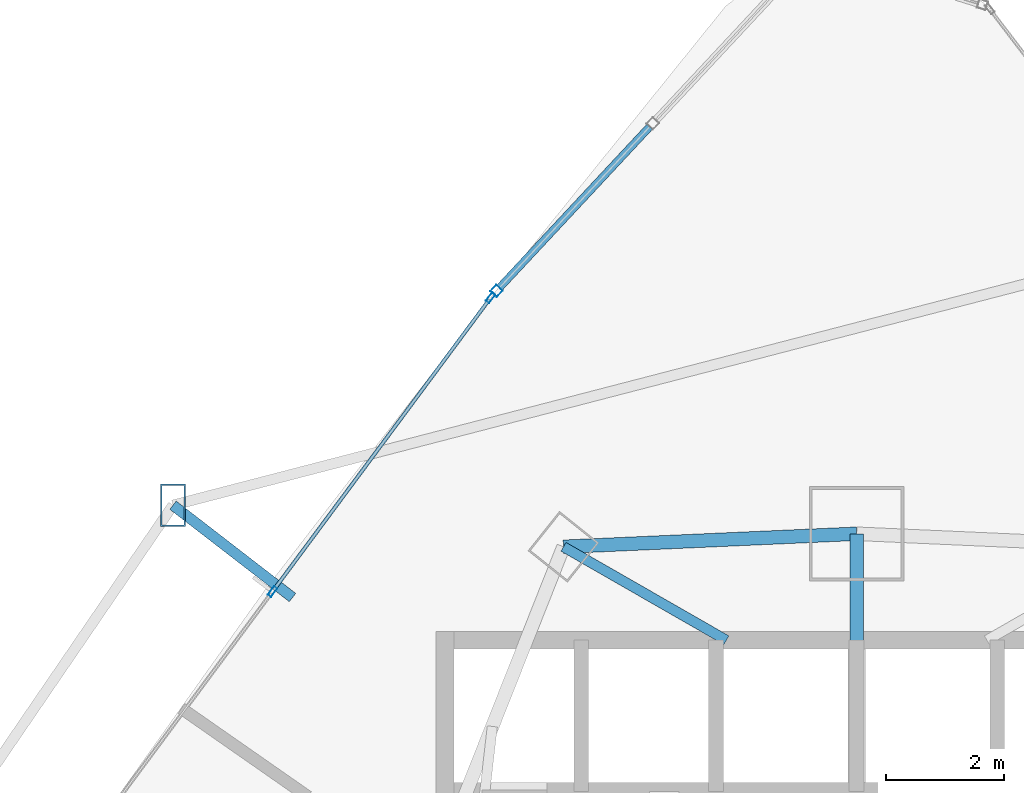
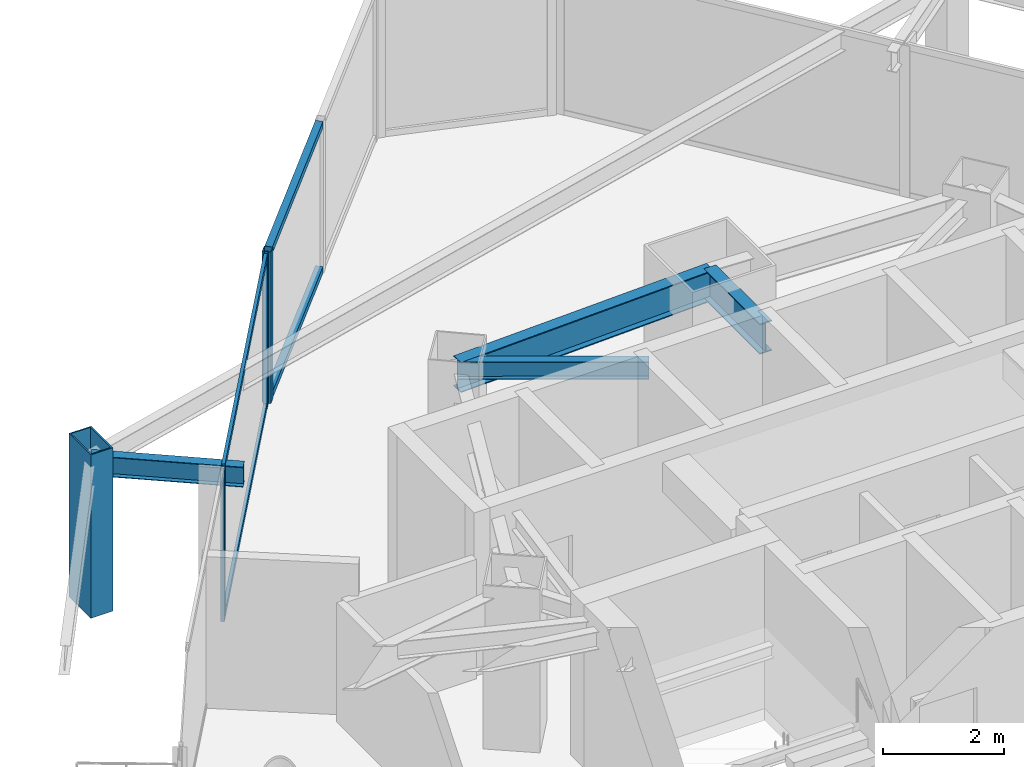
# One storey, part 22 of 34: 8 members, 4 beams, 2 elements without a shape of their own.
"""IFC4 building model written with IfcOpenShell, lengths in metres."""

import ifcopenshell
import ifcopenshell.guid

model = None  # the IFC model being written
_history = None  # IfcOwnerHistory: only IFC2X3 demands one
_inside = {}  # id of a spatial element -> (the spatial element, [elements in it])
_under = {}  # id of a project, library or spatial element -> (it, [spatial elements below it])
_declared = {}  # id of a project -> (the project, [libraries it declares])
_typed = {}  # id of a type object -> (the type object, [elements of that type])
_made_of = {}  # id of a material, layer set ... -> (it, [elements and type objects made of it])


def new_model(schema):
    """Start an empty IFC model of exactly this schema.

    Asked for "IFC4X3", IfcOpenShell would pick the latest addendum, in which some entities
    have other attributes; the version numbers below select the first issue.
    IFC2X3 requires an IfcOwnerHistory on every rooted entity: one is made here for all.
    """
    global model, _history
    if schema == "IFC4X3":
        model = ifcopenshell.file(schema_version=(4, 3, 0, 0))
    else:
        model = ifcopenshell.file(schema=schema)
    _inside.clear()
    _under.clear()
    _declared.clear()
    _typed.clear()
    _made_of.clear()
    _history = None
    if model.schema == "IFC2X3":
        org = make("IfcOrganization", Name="unknown")
        user = make(
            "IfcPersonAndOrganization",
            ThePerson=make("IfcPerson", FamilyName="unknown"),
            TheOrganization=org,
        )
        app = make(
            "IfcApplication",
            ApplicationDeveloper=org,
            Version="unknown",
            ApplicationFullName="unknown",
            ApplicationIdentifier="unknown",
        )
        _history = make(
            "IfcOwnerHistory",
            OwningUser=user,
            OwningApplication=app,
            ChangeAction="ADDED",
            CreationDate=0,
        )
    return model


def make(cls, **values):
    """One entity of the class cls with the attributes given. An attribute that is None is left unset."""
    return model.create_entity(
        cls, **{name: value for name, value in values.items() if value is not None}
    )


def rooted(cls, **values):
    """An entity with a GlobalId (a new one), such as an element, a storey or a relation."""
    return make(cls, GlobalId=ifcopenshell.guid.new(), OwnerHistory=_history, **values)


def si_unit(unit_type, name, prefix=None):
    """IfcSIUnit, for example si_unit("LENGTHUNIT", "METRE", prefix="MILLI")."""
    return make("IfcSIUnit", UnitType=unit_type, Prefix=prefix, Name=name)


def assignment(units):
    """IfcUnitAssignment: the units of a project."""
    return None if units is None else make("IfcUnitAssignment", Units=units)


def point(xyz):
    """IfcCartesianPoint."""
    return None if xyz is None else make("IfcCartesianPoint", Coordinates=xyz)


def direction(xyz):
    """IfcDirection."""
    return None if xyz is None else make("IfcDirection", DirectionRatios=xyz)


def frame(location, z_axis=None, x_axis=None):
    """IfcAxis2Placement3D, a coordinate frame: its origin and axes. An axis left out is left unset."""
    return make(
        "IfcAxis2Placement3D",
        Location=point(location),
        Axis=direction(z_axis),
        RefDirection=direction(x_axis),
    )


def frame_2d(location, x_axis=None):
    """IfcAxis2Placement2D, a coordinate frame in the plane: its origin and x axis."""
    return make(
        "IfcAxis2Placement2D", Location=point(location), RefDirection=direction(x_axis)
    )


def origin():
    """The frame at (0, 0, 0) with its axes left unset."""
    return frame((0.0, 0.0, 0.0))


def origin_2d():
    """The frame at (0, 0) in the plane with its x axis left unset."""
    return frame_2d((0.0, 0.0))


def place(relative_to, where):
    """IfcLocalPlacement: puts the frame where relative to a parent placement (None: the world)."""
    return make(
        "IfcLocalPlacement", PlacementRelTo=relative_to, RelativePlacement=where
    )


def context(
    kind, dimensions, precision=None, world=None, true_north=None, identifier=None
):
    """IfcGeometricRepresentationContext, for example the 3D "Model" context."""
    return make(
        "IfcGeometricRepresentationContext",
        ContextIdentifier=identifier,
        ContextType=kind,
        CoordinateSpaceDimension=dimensions,
        Precision=precision,
        WorldCoordinateSystem=world,
        TrueNorth=true_north,
    )


def subcontext(parent, identifier, kind, view, scale=None):
    """IfcGeometricRepresentationSubContext, for example "Body" below "Model"."""
    return make(
        "IfcGeometricRepresentationSubContext",
        ContextIdentifier=identifier,
        ContextType=kind,
        ParentContext=parent,
        TargetScale=scale,
        TargetView=view,
    )


def project(units=None, contexts=None):
    """IfcProject with its units and contexts."""
    return rooted(
        "IfcProject",
        Name="project",
        RepresentationContexts=contexts,
        UnitsInContext=assignment(units),
    )


def spatial(cls, under=None, at=None, **own):
    """A site, building, storey or space (cls), placed at a placement, below another one or the project."""
    s = rooted(cls, ObjectPlacement=at, **own)
    if under is not None:
        _under.setdefault(under.id(), (under, []))[1].append(s)
    return s


def profile(cls, at=None, kind="AREA", **sizes):
    """A parametric profile (cls). Its sizes go by their IFC names, for example OverallWidth=200.0."""
    return make(cls, ProfileType=kind, Position=at, **sizes)


def hollow_rectangle(**sizes):
    """IfcRectangleHollowProfileDef."""
    return profile("IfcRectangleHollowProfileDef", **sizes)


def i_section(**sizes):
    """IfcIShapeProfileDef."""
    return profile("IfcIShapeProfileDef", **sizes)


def extrude(swept, where, along, depth):
    """IfcExtrudedAreaSolid: the profile swept, set in the frame where, extruded along a direction by depth."""
    return make(
        "IfcExtrudedAreaSolid",
        SweptArea=swept,
        Position=where,
        ExtrudedDirection=direction(along),
        Depth=depth,
    )


def shape(context_of_items, identifier, shape_type, items):
    """IfcShapeRepresentation: the items that make up one representation, for example the "Body"."""
    return make(
        "IfcShapeRepresentation",
        ContextOfItems=context_of_items,
        RepresentationIdentifier=identifier,
        RepresentationType=shape_type,
        Items=items,
    )


def material(Name=None, Category=None):
    """IfcMaterial."""
    return make("IfcMaterial", Name=Name, Category=Category)


def layer(
    of_material, thickness, ventilated=None, Name=None, Category=None, Priority=None
):
    """IfcMaterialLayer: one layer of a wall or slab, of a material (None: an air gap)."""
    return make(
        "IfcMaterialLayer",
        Material=of_material,
        LayerThickness=thickness,
        IsVentilated=ventilated,
        Name=Name,
        Category=Category,
        Priority=Priority,
    )


def layer_set(layers, Name=None):
    """IfcMaterialLayerSet."""
    return make("IfcMaterialLayerSet", MaterialLayers=layers, LayerSetName=Name)


def material_profile(
    of_material, cross_section, Name=None, Category=None, Priority=None
):
    """IfcMaterialProfile: a cross section and its material."""
    return make(
        "IfcMaterialProfile",
        Name=Name,
        Material=of_material,
        Profile=cross_section,
        Priority=Priority,
        Category=Category,
    )


def profile_set(profiles, Name=None, composite=None):
    """IfcMaterialProfileSet."""
    return make(
        "IfcMaterialProfileSet",
        Name=Name,
        MaterialProfiles=profiles,
        CompositeProfile=composite,
    )


def made_of(thing, what):
    """Note that an element or type object is made of a material, layer set ...; save() writes the relation."""
    if what is not None:
        _made_of.setdefault(what.id(), (what, []))[1].append(thing)
    return thing


def type_object(cls, material=None, **own):
    """A type object (cls), such as IfcWallType, which elements share."""
    return made_of(rooted(cls, **own), material)


def element(
    cls,
    number,
    at=None,
    inside=None,
    cuts=None,
    type_object=None,
    material=None,
    context=None,
    identifier="Body",
    shape_type=None,
    held_by="IfcProductDefinitionShape",
    body=None,
    shapes=None,
    **own,
):
    """One element of the class cls, such as IfcWall. Its Tag is "e" and its number.

    at: its placement. inside: the storey or other place that contains it. cuts: it is an
    opening in that element (IfcRelVoidsElement). A single representation is given by context,
    identifier, shape_type and body (its items); several are given by shapes. held_by: the class
    of the entity that holds the representations. save() writes the other relations.
    """
    e = rooted(cls, Tag="e%d" % number, ObjectPlacement=at, **own)
    if body is not None:
        shapes = [shape(context, identifier, shape_type, body)]
    if shapes is not None:
        e.Representation = make(held_by, Representations=shapes)
    if inside is not None:
        _inside.setdefault(inside.id(), (inside, []))[1].append(e)
    if cuts is not None:
        rooted(
            "IfcRelVoidsElement", RelatingBuildingElement=cuts, RelatedOpeningElement=e
        )
    if type_object is not None:
        _typed.setdefault(type_object.id(), (type_object, []))[1].append(e)
    return made_of(e, material)


def aggregate(whole, parts):
    """IfcRelAggregates: a whole, such as a stair, and the parts it consists of."""
    return rooted("IfcRelAggregates", RelatingObject=whole, RelatedObjects=parts)


def save(model, path):
    """Write the relations noted so far, then the file.

    IfcRelAggregates (storeys below a building ...), IfcRelContainedInSpatialStructure (elements
    in a storey), IfcRelDefinesByType, IfcRelAssociatesMaterial and IfcRelDeclares: one each for
    every whole, place, type object, material and project.
    """
    for whole, parts in _under.values():
        aggregate(whole, parts)
    for where, things in _inside.values():
        rooted(
            "IfcRelContainedInSpatialStructure",
            RelatedElements=things,
            RelatingStructure=where,
        )
    for kind, things in _typed.values():
        rooted("IfcRelDefinesByType", RelatedObjects=things, RelatingType=kind)
    for what, things in _made_of.values():
        rooted("IfcRelAssociatesMaterial", RelatedObjects=things, RelatingMaterial=what)
    for by, libraries in _declared.values():
        rooted("IfcRelDeclares", RelatingContext=by, RelatedDefinitions=libraries)
    model.write(path)


model = new_model("IFC4")

# Units and contexts
model_context = context("Model", 3, precision=1e-05, world=origin(), true_north=direction((0.0, 1.0)))
body_context = subcontext(model_context, "Body", "Model", "MODEL_VIEW")
ifc_project = project(units=[si_unit("LENGTHUNIT", "METRE"), si_unit("AREAUNIT", "SQUARE_METRE"), si_unit("VOLUMEUNIT", "CUBIC_METRE"), si_unit("PLANEANGLEUNIT", "RADIAN"), si_unit("MASSUNIT", "GRAM", prefix="KILO")], contexts=[model_context])

# Site, building, storey
site_placement = place(None, origin())
site = spatial("IfcSite", under=ifc_project, at=site_placement, CompositionType="ELEMENT")
building_placement = place(site_placement, origin())
building = spatial("IfcBuilding", under=site, at=building_placement, Name="Orvanel Arch Residences", CompositionType="ELEMENT")
storey_placement = place(building_placement, frame((0.0, 0.0, 67.550048828125)))
storey = spatial("IfcBuildingStorey", under=building, at=storey_placement, Name="L18", CompositionType="ELEMENT", Elevation=67.550048828125)

# Beams
ifc_material_1 = material(Name="Structural steel AS/NZS 3679.1 Grade 300 (300 MPa)", Category="steel")
ifc_material_profile_1 = material_profile(ifc_material_1, i_section(OverallWidth=0.22900390625, OverallDepth=0.612060546875, WebThickness=0.011962890625, FlangeThickness=0.01953125, at=origin_2d()), Name="610UB125")
ifc_profile_set_1 = profile_set([ifc_material_profile_1], Name="Structural steel AS/NZS 3679.1 Grade 300 (300 MPa)")
beam_type_1 = type_object("IfcBeamType", Name="BG-610UB", PredefinedType="BEAM", material=ifc_profile_set_1)
beam_1_placement = place(storey_placement, frame((33.0, 39.550048828125, 2.75390625), z_axis=(0.0, 1.0, 0.0), x_axis=(-1.0, 0.0, 0.0)))
element("IfcBeam", 1, at=beam_1_placement, inside=storey, type_object=beam_type_1, Name="L18 North Radial Girder", PredefinedType="BEAM", context=body_context, shape_type="SweptSolid", body=[
    extrude(i_section(OverallWidth=0.22900390625, OverallDepth=0.612060546875, WebThickness=0.011962890625, FlangeThickness=0.01953125, at=origin_2d()), origin(), (0.0, 0.0, 1.0), 1.847900390625),
])
ifc_material_profile_2 = material_profile(ifc_material_1, i_section(OverallWidth=0.1708984375, OverallDepth=0.35595703125, WebThickness=0.00732421875, FlangeThickness=0.011474609375, at=origin_2d()), Name="360UB50.7")
ifc_profile_set_2 = profile_set([ifc_material_profile_2], Name="Structural steel AS/NZS 3679.1 Grade 300 (300 MPa)")
beam_type_2 = type_object("IfcBeamType", Name="BJ-360UB", PredefinedType="JOIST", material=ifc_profile_set_2)
beam_2_placement = place(storey_placement, frame((30.800048828125, 39.60009765625, 2.8818359375), z_axis=(-0.86736513383, 0.497672306458, 0.0), x_axis=(-0.497672306458, -0.86736513383, 0.0)))
element("IfcBeam", 2, at=beam_2_placement, inside=storey, type_object=beam_type_2, Name="L18 MNW Wing Floor Joist", PredefinedType="JOIST", context=body_context, shape_type="SweptSolid", body=[
    extrude(i_section(OverallWidth=0.1708984375, OverallDepth=0.35595703125, WebThickness=0.00732421875, FlangeThickness=0.011474609375, at=origin_2d()), origin(), (0.0, 0.0, 1.0), 3.17041015625),
])

# Member
ifc_material_2 = material(Name="Structural steel AS/NZS 3678 Grade 350", Category="steel")
ifc_material_profile_3 = material_profile(ifc_material_2, hollow_rectangle(XDim=0.419921875, YDim=0.719970703125, WallThickness=0.02490234375, at=origin_2d()), Name="RHS720x420x25")
ifc_profile_set_3 = profile_set([ifc_material_profile_3], Name="Structural steel AS/NZS 3678 Grade 350")
member_type_1 = type_object("IfcMemberType", Name="CH-720RHS-EXT", PredefinedType="CHORD", material=ifc_profile_set_3)
member_1_placement = place(storey_placement, frame((21.4580078125, 41.8798828125, 0.0), z_axis=(0.0, 0.0, 1.0), x_axis=(1.0, 0.0, 0.0)))
element("IfcMember", 3, at=member_1_placement, inside=storey, type_object=member_type_1, Name="L18 Outer Perimeter Frame Post 01", PredefinedType="CHORD", context=body_context, shape_type="SweptSolid", body=[
    extrude(hollow_rectangle(XDim=0.419921875, YDim=0.719970703125, WallThickness=0.02490234375, at=origin_2d()), origin(), (0.0, 0.0, 1.0), 3.300048828125),
])

# Curtain wall, member
ifc_material_3 = material(Name="Bronze-anodised aluminium AA6063-T6", Category="aluminium")
ifc_layer_1 = layer(ifc_material_3, 0.18994140625)
ifc_layer_set_1 = layer_set([ifc_layer_1], Name="Bronze-anodised aluminium AA6063-T6")
curtain_wall_type_1 = type_object("IfcCurtainWallType", Name="CW5-CRN-SYS", PredefinedType="NOTDEFINED", material=ifc_layer_set_1)
curtain_wall_1_placement = place(storey_placement, origin())
curtain_wall_1 = element("IfcCurtainWall", 4, at=curtain_wall_1_placement, inside=storey, type_object=curtain_wall_type_1, Name="L18 CW5-CRN-SYS Unitised Curtain Wall", PredefinedType="NOTDEFINED")
ifc_material_profile_4 = material_profile(ifc_material_3, hollow_rectangle(XDim=0.14990234375, YDim=0.14990234375, WallThickness=0.0048828125, at=origin_2d()), Name="ALU150x150x5")
ifc_profile_set_4 = profile_set([ifc_material_profile_4], Name="Bronze-anodised aluminium AA6063-T6")
member_type_2 = type_object("IfcMemberType", Name="MUL-150x150", PredefinedType="MULLION", material=ifc_profile_set_4)
member_2_placement = place(storey_placement, frame((26.918212890625, 45.496826171875, 0.0), z_axis=(0.0, 0.0, 1.0), x_axis=(0.731034183828, -0.682340840105, 0.0)))
member_2 = element("IfcMember", 5, at=member_2_placement, type_object=member_type_2, Name="CW-S5 mullion 3", PredefinedType="MULLION", context=body_context, shape_type="SweptSolid", body=[
    extrude(hollow_rectangle(XDim=0.14990234375, YDim=0.14990234375, WallThickness=0.0048828125, at=origin_2d()), origin(), (0.0, 0.0, 1.0), 3.06005859375),
])

# Curtain wall, members
ifc_layer_2 = layer(ifc_material_3, 0.179931640625)
ifc_layer_set_2 = layer_set([ifc_layer_2], Name="Bronze-anodised aluminium AA6063-T6")
curtain_wall_type_2 = type_object("IfcCurtainWallType", Name="CW2-LOW-SYS", PredefinedType="NOTDEFINED", material=ifc_layer_set_2)
curtain_wall_2_placement = place(storey_placement, origin())
curtain_wall_2 = element("IfcCurtainWall", 6, at=curtain_wall_2_placement, inside=storey, type_object=curtain_wall_type_2, Name="L18 CW2-LOW-SYS Unitised Curtain Wall", PredefinedType="NOTDEFINED")
ifc_material_profile_5 = material_profile(ifc_material_3, hollow_rectangle(XDim=0.070068359375, YDim=0.179931640625, WallThickness=0.00439453125, at=origin_2d()), Name="ALU180x70x4.5")
ifc_profile_set_5 = profile_set([ifc_material_profile_5], Name="Bronze-anodised aluminium AA6063-T6")
member_type_3 = type_object("IfcMemberType", Name="MUL-180x70", PredefinedType="MULLION", material=ifc_profile_set_5)
member_3_placement = place(storey_placement, frame((26.820068359375, 45.3828125, 0.0), z_axis=(0.0, 0.0, 1.0), x_axis=(0.802983727568, -0.596000950722, 0.0)))
member_3 = element("IfcMember", 7, at=member_3_placement, type_object=member_type_3, Name="CW-S2 mullion 1", PredefinedType="MULLION", context=body_context, shape_type="SweptSolid", body=[
    extrude(hollow_rectangle(XDim=0.070068359375, YDim=0.179931640625, WallThickness=0.00439453125, at=origin_2d()), origin(), (0.0, 0.0, 1.0), 3.06005859375),
])
member_4_placement = place(storey_placement, frame((23.137939453125, 40.422119140625, 0.0), z_axis=(0.0, 0.0, 1.0), x_axis=(0.802983727568, -0.596000950722, 0.0)))
member_4 = element("IfcMember", 8, at=member_4_placement, type_object=member_type_3, Name="CW-S2 mullion 2", PredefinedType="MULLION", context=body_context, shape_type="SweptSolid", body=[
    extrude(hollow_rectangle(XDim=0.070068359375, YDim=0.179931640625, WallThickness=0.00439453125, at=origin_2d()), origin(), (0.0, 0.0, 1.0), 3.06005859375),
])

# Beams
ifc_material_profile_6 = material_profile(ifc_material_1, i_section(OverallWidth=0.177978515625, OverallDepth=0.406005859375, WebThickness=0.0078125, FlangeThickness=0.0126953125, at=origin_2d()), Name="410UB59.7")
ifc_profile_set_6 = profile_set([ifc_material_profile_6], Name="Structural steel AS/NZS 3679.1 Grade 300 (300 MPa)")
beam_type_3 = type_object("IfcBeamType", Name="OB-410UB-EXT", PredefinedType="SPANDREL", material=ifc_profile_set_6)
beam_3_placement = place(storey_placement, frame((23.47607421875, 40.321044921875, 2.85693359375), z_axis=(-0.79139447768, 0.61130579966, 0.0), x_axis=(-0.61130579966, -0.79139447768, 0.0)))
element("IfcBeam", 9, at=beam_3_placement, inside=storey, type_object=beam_type_3, Name="L18 Outer Frame Radial Tie Beam 01", PredefinedType="SPANDREL", context=body_context, shape_type="SweptSolid", body=[
    extrude(i_section(OverallWidth=0.177978515625, OverallDepth=0.406005859375, WebThickness=0.0078125, FlangeThickness=0.0126953125, at=origin_2d()), origin(), (0.0, 0.0, 1.0), 2.550048828125),
])
ifc_material_profile_7 = material_profile(ifc_material_1, i_section(OverallWidth=0.22900390625, OverallDepth=0.612060546875, WebThickness=0.011962890625, FlangeThickness=0.01953125, at=origin_2d()), Name="610UB125")
ifc_profile_set_7 = profile_set([ifc_material_profile_7], Name="Structural steel AS/NZS 3679.1 Grade 300 (300 MPa)")
beam_type_4 = type_object("IfcBeamType", Name="SP-610UB", PredefinedType="SPANDREL", material=ifc_profile_set_7)
beam_4_placement = place(storey_placement, frame((33.0, 41.39794921875, 2.75390625), z_axis=(-0.999014049296, -0.044395149614, 0.0), x_axis=(0.044395149614, -0.999014049296, 0.0)))
element("IfcBeam", 10, at=beam_4_placement, inside=storey, type_object=beam_type_4, Name="L18 Perimeter Spandrel Beam 17", PredefinedType="SPANDREL", context=body_context, shape_type="SweptSolid", body=[
    extrude(i_section(OverallWidth=0.22900390625, OverallDepth=0.612060546875, WebThickness=0.011962890625, FlangeThickness=0.01953125, at=origin_2d()), origin(), (0.0, 0.0, 1.0), 4.954833984375),
])

# Member
ifc_material_profile_8 = material_profile(ifc_material_3, hollow_rectangle(XDim=0.1298828125, YDim=0.1298828125, WallThickness=0.00439453125, at=origin_2d()), Name="ALU130x130x4.5")
ifc_profile_set_8 = profile_set([ifc_material_profile_8], Name="Bronze-anodised aluminium AA6063-T6")
member_type_4 = type_object("IfcMemberType", Name="TRN-130x130", PredefinedType="USERDEFINED", material=ifc_profile_set_8)
member_5_placement = place(storey_placement, frame((29.50634765625, 48.269775390625, 0.06494140625), z_axis=(-0.682360360302, -0.731015963361, 0.0), x_axis=(0.731015963361, -0.682360360302, 0.0)))
member_5 = element("IfcMember", 11, at=member_5_placement, type_object=member_type_4, Name="CW-S5 transom 2.1", ObjectType="TRANSOM", PredefinedType="USERDEFINED", context=body_context, shape_type="SweptSolid", body=[
    extrude(hollow_rectangle(XDim=0.1298828125, YDim=0.1298828125, WallThickness=0.00439453125, at=origin_2d()), origin(), (0.0, 0.0, 1.0), 3.718017578125),
])

member_6_placement = place(storey_placement, frame((29.50634765625, 48.269775390625, 2.994873046875), z_axis=(-0.682360360302, -0.731015963361, 0.0), x_axis=(0.731015963361, -0.682360360302, 0.0)))
member_6 = element("IfcMember", 12, at=member_6_placement, type_object=member_type_4, Name="CW-S5 transom 2.2", ObjectType="TRANSOM", PredefinedType="USERDEFINED", context=body_context, shape_type="SweptSolid", body=[
    extrude(hollow_rectangle(XDim=0.1298828125, YDim=0.1298828125, WallThickness=0.00439453125, at=origin_2d()), origin(), (0.0, 0.0, 1.0), 3.718017578125),
])

aggregate(curtain_wall_1, [member_2, member_5, member_6])

ifc_material_profile_9 = material_profile(ifc_material_3, hollow_rectangle(XDim=0.06005859375, YDim=0.135009765625, WallThickness=0.00390625, at=origin_2d()), Name="ALU135x60x4")
ifc_profile_set_9 = profile_set([ifc_material_profile_9], Name="Bronze-anodised aluminium AA6063-T6")
member_type_5 = type_object("IfcMemberType", Name="TRN-135x60", PredefinedType="USERDEFINED", material=ifc_profile_set_9)
member_7_placement = place(storey_placement, frame((26.79931640625, 45.354736328125, 0.030029296875), z_axis=(-0.596008244944, -0.802978313505, 0.0), x_axis=(0.802978313505, -0.596008244944, 0.0)))
member_7 = element("IfcMember", 13, at=member_7_placement, type_object=member_type_5, Name="CW-S2 transom 1.1", ObjectType="TRANSOM", PredefinedType="USERDEFINED", context=body_context, shape_type="SweptSolid", body=[
    extrude(hollow_rectangle(XDim=0.06005859375, YDim=0.135009765625, WallThickness=0.00390625, at=origin_2d()), origin(), (0.0, 0.0, 1.0), 6.10791015625),
])

member_8_placement = place(storey_placement, frame((26.79931640625, 45.354736328125, 3.030029296875), z_axis=(-0.596008244944, -0.802978313505, 0.0), x_axis=(0.802978313505, -0.596008244944, 0.0)))
member_8 = element("IfcMember", 14, at=member_8_placement, type_object=member_type_5, Name="CW-S2 transom 1.2", ObjectType="TRANSOM", PredefinedType="USERDEFINED", context=body_context, shape_type="SweptSolid", body=[
    extrude(hollow_rectangle(XDim=0.06005859375, YDim=0.135009765625, WallThickness=0.00390625, at=origin_2d()), origin(), (0.0, 0.0, 1.0), 6.10791015625),
])

aggregate(curtain_wall_2, [member_3, member_4, member_7, member_8])

save(model, "model.ifc")
